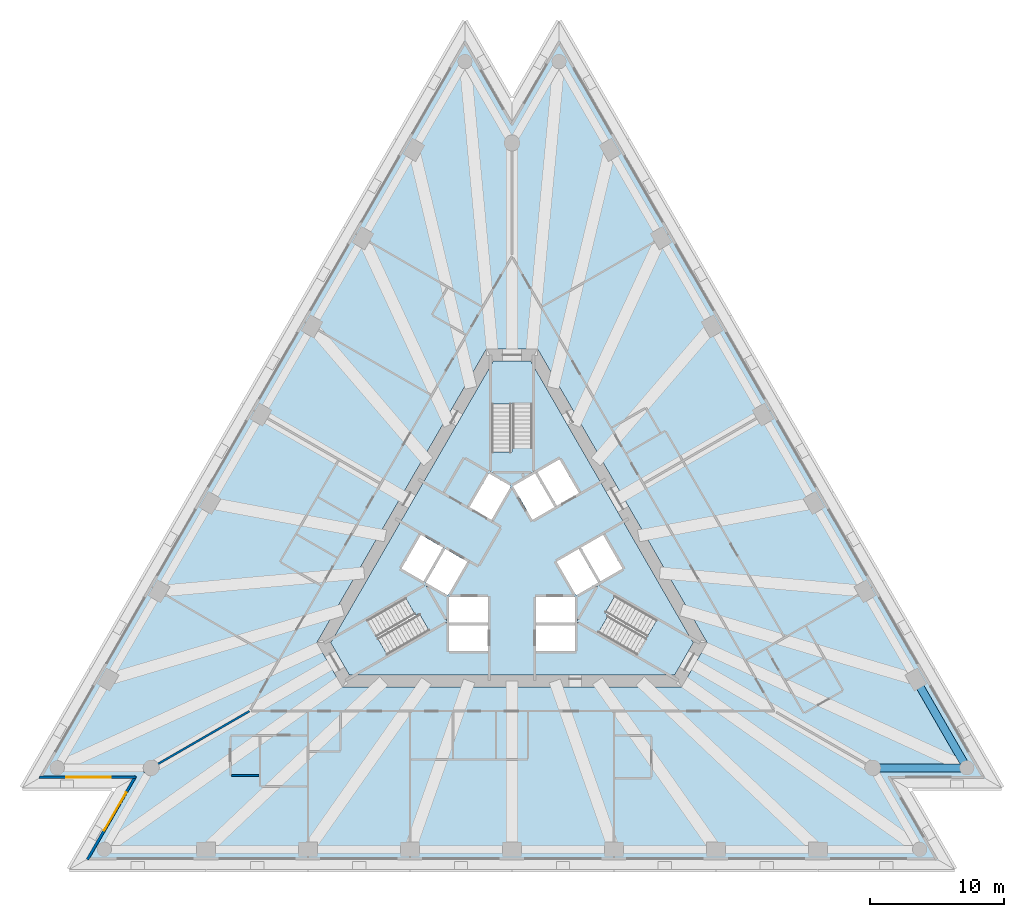
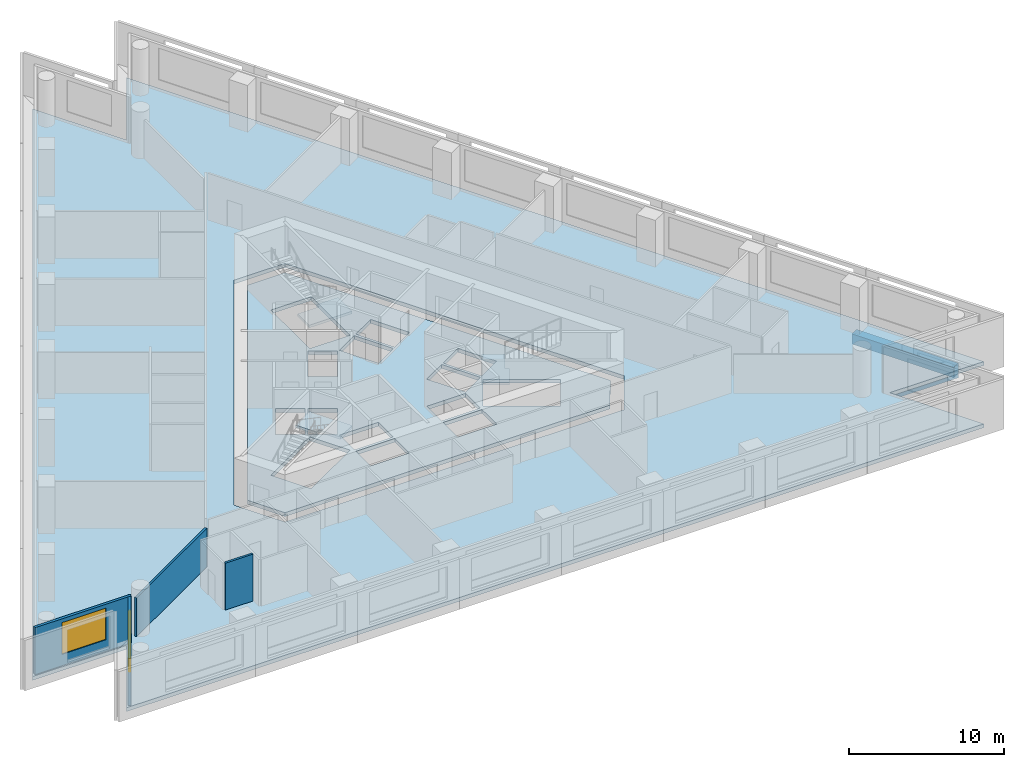
# One storey, part 2 of 11: 5 slabs, 4 walls, 2 beams, 2 windows, 2 openings, 3 elements without a shape of their own.
"""IFC4 building model written with IfcOpenShell, lengths in metres."""

from ifc_helpers import new_model, si_unit, direction, frame, frame_2d, origin, origin_2d, place, context, subcontext, project, spatial, polyline, rectangle, outline, extrude, material, layer, layer_set, layer_usage, material_profile, profile_set, type_object, element, fill, aggregate, save


model = new_model("IFC4")

# Units and contexts
model_context = context("Model", 3, precision=1e-05, world=origin(), true_north=direction((0.0, 1.0)))
body_context = subcontext(model_context, "Body", "Model", "MODEL_VIEW")
ifc_project = project(units=[si_unit("LENGTHUNIT", "METRE"), si_unit("AREAUNIT", "SQUARE_METRE"), si_unit("VOLUMEUNIT", "CUBIC_METRE"), si_unit("PLANEANGLEUNIT", "RADIAN"), si_unit("MASSUNIT", "GRAM", prefix="KILO")], contexts=[model_context])

# Site, building, storey
site_placement = place(None, origin())
site = spatial("IfcSite", under=ifc_project, at=site_placement, CompositionType="ELEMENT")
building_placement = place(site_placement, origin())
building = spatial("IfcBuilding", under=site, at=building_placement, Name="Triada Interchange Tower", CompositionType="ELEMENT")
storey_placement = place(building_placement, frame((0.0, 0.0, 35.300048828125)))
storey = spatial("IfcBuildingStorey", under=building, at=storey_placement, Name="L06", CompositionType="ELEMENT", Elevation=35.300048828125)

# Beams
ifc_material_1 = material(Name="Concrete C50/60", Category="concrete")
ifc_material_profile = material_profile(ifc_material_1, rectangle(XDim=0.60009765625, YDim=0.800048828125, at=origin_2d()), Name="RC 600x800")
ifc_profile_set = profile_set([ifc_material_profile], Name="Concrete C50/60")
beam_type = type_object("IfcBeamType", Name="Spandrel beam A RC 600x800", PredefinedType="BEAM", material=ifc_profile_set)
beam_1_placement = place(storey_placement, frame((26.889892578125, -15.52490234375, -0.699951171875), z_axis=(1.0, 0.0, 0.0), x_axis=(0.0, 1.0, 0.0)))
element("IfcBeam", 1, at=beam_1_placement, inside=storey, type_object=beam_type, Name="Spandrel beam EA20 L06", PredefinedType="BEAM", context=body_context, shape_type="SweptSolid", body=[
    extrude(rectangle(XDim=0.60009765625, YDim=0.800048828125, at=origin_2d()), origin(), (0.0, 0.0, 1.0), 7.01513671875),
])
beam_2_placement = place(storey_placement, frame((33.905029296875, -15.52490234375, -0.699951171875), z_axis=(-0.500060803479, 0.865990296034, 0.0), x_axis=(-0.865990296034, -0.500060803479, 0.0)))
element("IfcBeam", 2, at=beam_2_placement, inside=storey, type_object=beam_type, Name="Spandrel beam EA21 L06", PredefinedType="BEAM", context=body_context, shape_type="SweptSolid", body=[
    extrude(rectangle(XDim=0.60009765625, YDim=0.800048828125, at=origin_2d()), origin(), (0.0, 0.0, 1.0), 7.59912109375),
])

# Slabs
ifc_layer_1 = layer(ifc_material_1, 0.300048828125)
ifc_layer_set_1 = layer_set([ifc_layer_1], Name="Floor slab 300")
slab_type_1 = type_object("IfcSlabType", Name="Floor slab 300", PredefinedType="FLOOR", material=ifc_layer_set_1)
slab_1_placement = place(storey_placement, frame((0.0, 0.0, -0.300048828125)))
element("IfcSlab", 3, at=slab_1_placement, inside=storey, type_object=slab_type_1, Name="Floor slab L06", PredefinedType="FLOOR", context=body_context, shape_type="SweptSolid", body=[
    extrude(outline(polyline([(-3.507080078125, 38.925048828125), (-35.464111328125, -16.425048828125), (-28.448974609375, -16.425048828125), (-31.9560546875, -22.5), (31.9560546875, -22.5), (28.448974609375, -16.425048828125), (35.464111328125, -16.425048828125), (3.507080078125, 38.925048828125), (0.0, 32.85009765625), (-3.507080078125, 38.925048828125)]), holes=[polyline([(1.905029296875, 15.699951171875), (-1.905029296875, 15.699951171875), (-14.549072265625, -6.199951171875), (-12.64404296875, -9.5), (12.64404296875, -9.5), (14.549072265625, -6.199951171875), (1.905029296875, 15.699951171875)])]), origin(), (0.0, 0.0, 1.0), 0.300048828125),
])
slab_2_placement = place(storey_placement, frame((0.0, 0.0, -0.300048828125)))
element("IfcSlab", 4, at=slab_2_placement, inside=storey, type_object=slab_type_1, Name="Core floor slab L06 1", PredefinedType="FLOOR", context=body_context, shape_type="SweptSolid", body=[
    extrude(outline(polyline([(13.510009765625, -6.199951171875), (12.1240234375, -8.60009765625), (-12.1240234375, -8.60009765625), (-13.510009765625, -6.199951171875), (-1.385986328125, 14.800048828125), (1.385986328125, 14.800048828125), (13.510009765625, -6.199951171875)]), holes=[polyline([(9.2958984375, -7.09912109375), (10.7958984375, -4.5009765625), (6.466064453125, -2.0009765625), (4.966064453125, -4.59912109375), (9.2958984375, -7.09912109375)]), polyline([(6.7890625, 1.841064453125), (5.14404296875, 0.89111328125), (6.593994140625, -1.6201171875), (8.239013671875, -0.669921875), (6.7890625, 1.841064453125)]), polyline([(4.969970703125, 0.791015625), (3.324951171875, -0.158935546875), (4.77490234375, -2.669921875), (6.419921875, -1.719970703125), (4.969970703125, 0.791015625)]), polyline([(1.89404296875, 6.52001953125), (3.343994140625, 4.009033203125), (4.989013671875, 4.958984375), (3.5390625, 7.469970703125), (1.89404296875, 6.52001953125)]), polyline([(1.800048828125, -4.89990234375), (1.800048828125, -6.800048828125), (4.699951171875, -6.800048828125), (4.699951171875, -4.89990234375), (1.800048828125, -4.89990234375)]), polyline([(1.800048828125, -2.800048828125), (1.800048828125, -4.031005859375), (1.800048828125, -4.699951171875), (4.699951171875, -4.699951171875), (4.699951171875, -2.800048828125), (1.800048828125, -2.800048828125)]), polyline([(1.52490234375, 2.958984375), (1.68408203125, 3.051025390625), (3.169921875, 3.908935546875), (1.719970703125, 6.419921875), (0.074951171875, 5.469970703125), (1.52490234375, 2.958984375)]), polyline([(1.5, 11.60009765625), (-1.5, 11.60009765625), (-1.5, 6.60009765625), (1.5, 6.60009765625), (1.5, 11.60009765625)]), polyline([(-0.074951171875, 5.469970703125), (-1.719970703125, 6.419921875), (-3.169921875, 3.908935546875), (-1.6298828125, 3.01904296875), (-1.52490234375, 2.958984375), (-0.074951171875, 5.469970703125)]), polyline([(-4.699951171875, -2.800048828125), (-4.699951171875, -4.699951171875), (-1.800048828125, -4.699951171875), (-1.800048828125, -4.031005859375), (-1.800048828125, -2.800048828125), (-4.699951171875, -2.800048828125)]), polyline([(-4.699951171875, -4.89990234375), (-4.699951171875, -6.800048828125), (-1.800048828125, -6.800048828125), (-1.800048828125, -4.89990234375), (-4.699951171875, -4.89990234375)]), polyline([(-4.77490234375, -2.669921875), (-3.324951171875, -0.158935546875), (-4.969970703125, 0.791015625), (-6.419921875, -1.719970703125), (-4.77490234375, -2.669921875)]), polyline([(-10.7958984375, -4.5009765625), (-9.2958984375, -7.09912109375), (-4.966064453125, -4.59912109375), (-6.466064453125, -2.0009765625), (-10.7958984375, -4.5009765625)]), polyline([(-6.593994140625, -1.6201171875), (-5.14404296875, 0.89111328125), (-6.7890625, 1.841064453125), (-8.239013671875, -0.669921875), (-6.593994140625, -1.6201171875)])]), origin(), (0.0, 0.0, 1.0), 0.300048828125),
])

# Stair, slab
ifc_material_2 = material(Name="Concrete C35/45", Category="concrete")
stair_type = type_object("IfcStairType", Name="HALF TURN STAIR 1400", PredefinedType="HALF_TURN_STAIR", material=ifc_material_2)
stair_1_placement = place(storey_placement, origin())
stair_1 = element("IfcStair", 5, at=stair_1_placement, inside=storey, type_object=stair_type, Name="Exit stair S06-1", PredefinedType="HALF_TURN_STAIR")
ifc_layer_2 = layer(ifc_material_2, 0.199951171875)
ifc_layer_set_2 = layer_set([ifc_layer_2], Name="STAIR LANDING 200")
slab_type_2 = type_object("IfcSlabType", Name="STAIR LANDING 200", PredefinedType="LANDING", material=ifc_layer_set_2)
slab_3_placement = place(storey_placement, frame((0.0, 0.0, 1.719970703125)))
slab_3 = element("IfcSlab", 6, at=slab_3_placement, type_object=slab_type_2, Name="S06-1 landing 1", PredefinedType="LANDING", context=body_context, shape_type="SweptSolid", body=[
    extrude(outline(polyline([(1.60009765625, 6.5), (1.60009765625, 8.300048828125), (0.0, 8.300048828125), (0.0, 8.0), (-1.60009765625, 8.0), (-1.60009765625, 6.5), (1.60009765625, 6.5)])), origin(), (0.0, 0.0, 1.0), 0.199951171875),
])
aggregate(stair_1, [slab_3])

stair_2_placement = place(storey_placement, origin())
stair_2 = element("IfcStair", 7, at=stair_2_placement, inside=storey, type_object=stair_type, Name="Exit stair S06-2", PredefinedType="HALF_TURN_STAIR")
slab_4_placement = place(storey_placement, frame((0.0, 0.0, 1.719970703125)))
slab_4 = element("IfcSlab", 8, at=slab_4_placement, type_object=slab_type_2, Name="S06-2 landing 1", PredefinedType="LANDING", context=body_context, shape_type="SweptSolid", body=[
    extrude(outline(polyline([(-6.428955078125, -1.864013671875), (-7.988037109375, -2.763916015625), (-7.18798828125, -4.14990234375), (-6.927978515625, -4.0), (-6.1279296875, -5.385986328125), (-4.8291015625, -4.635986328125), (-6.428955078125, -1.864013671875)])), origin(), (0.0, 0.0, 1.0), 0.199951171875),
])
aggregate(stair_2, [slab_4])

stair_3_placement = place(storey_placement, origin())
stair_3 = element("IfcStair", 9, at=stair_3_placement, inside=storey, type_object=stair_type, Name="Exit stair S06-3", PredefinedType="HALF_TURN_STAIR")
slab_5_placement = place(storey_placement, frame((0.0, 0.0, 1.719970703125)))
slab_5 = element("IfcSlab", 10, at=slab_5_placement, type_object=slab_type_2, Name="S06-3 landing 1", PredefinedType="LANDING", context=body_context, shape_type="SweptSolid", body=[
    extrude(outline(polyline([(4.8291015625, -4.635986328125), (6.387939453125, -5.535888671875), (7.18798828125, -4.14990234375), (6.927978515625, -4.0), (7.72802734375, -2.614013671875), (6.428955078125, -1.864013671875), (4.8291015625, -4.635986328125)])), origin(), (0.0, 0.0, 1.0), 0.199951171875),
])
aggregate(stair_3, [slab_5])

# Wall, opening, window
ifc_material_3 = material(Name="Cement board")
ifc_layer_3 = layer(ifc_material_3, 0.02001953125, Name="Cement board cladding")
ifc_material_4 = material(Name="Sheathing board")
ifc_layer_4 = layer(ifc_material_4, 0.014892578125, Name="Sheathing board")
ifc_material_5 = material(Name="Mineral wool")
ifc_layer_5 = layer(ifc_material_5, 0.14990234375, Name="Mineral wool between steel studs")
ifc_material_6 = material(Name="Gypsum board")
ifc_layer_6 = layer(ifc_material_6, 0.014892578125, Name="Plasterboard lining")
ifc_layer_set_3 = layer_set([ifc_layer_3, ifc_layer_4, ifc_layer_5, ifc_layer_6], Name="External wall 200")
ifc_layer_usage = layer_usage(ifc_layer_set_3, "AXIS2", "POSITIVE", -0.10009765625)
wall_type_1 = type_object("IfcWallType", Name="External wall 200", PredefinedType="ELEMENTEDWALL", material=ifc_layer_set_3)
wall_1_placement = place(storey_placement, frame((-35.2080078125, -16.22509765625, 0.0), z_axis=(0.0, 0.0, 1.0), x_axis=(1.0, 0.0, 0.0)))
wall_1 = element("IfcWall", 11, at=wall_1_placement, inside=storey, type_object=wall_type_1, material=ifc_layer_usage, Name="External wall L06 SW-1", PredefinedType="ELEMENTEDWALL", context=body_context, shape_type="SweptSolid", body=[
    extrude(rectangle(XDim=7.175048828125, YDim=0.199951171875, at=frame_2d((3.58740234375, 0.0))), origin(), (0.0, 0.0, 1.0), 3.699951171875),
])
opening_1_placement = place(wall_1_placement, frame((1.989990234375, 0.0, 0.89990234375)))
opening_1 = element("IfcOpeningElement", 12, at=opening_1_placement, cuts=wall_1, Name="Opening WA09", PredefinedType="OPENING", context=body_context, shape_type="SweptSolid", body=[
    extrude(rectangle(XDim=3.300048828125, YDim=2.5, at=frame_2d((1.64990234375, 1.25))), frame((0.0, 0.10986328125, 0.0), z_axis=(0.0, -1.0, 0.0), x_axis=(1.0, 0.0, 0.0)), (0.0, 0.0, 1.0), 0.219970703125),
])
ifc_material_7 = material(Name="Double glazed aluminium window", Category="aluminium")
window_type = type_object("IfcWindowType", Name="Ribbon window A pocket", PartitioningType="SINGLE_PANEL", PredefinedType="WINDOW", material=ifc_material_7)
window_1_placement = place(opening_1_placement, origin())
window_1 = element("IfcWindow", 13, at=window_1_placement, inside=storey, type_object=window_type, Name="Window L06 SW-1 1", OverallHeight=2.5, OverallWidth=3.300048828125, PartitioningType="SINGLE_PANEL", PredefinedType="WINDOW", context=body_context, shape_type="SweptSolid", body=[
    extrude(rectangle(XDim=3.300048828125, YDim=2.5, at=frame_2d((1.64990234375, 1.25))), frame((0.0, 0.030029296875, 0.0), z_axis=(0.0, -1.0, 0.0), x_axis=(1.0, 0.0, 0.0)), (0.0, 0.0, 1.0), 0.06005859375),
])
fill(opening_1, window_1)

wall_2_placement = place(storey_placement, frame((-28.05810546875, -16.14697265625, 0.0), z_axis=(0.0, 0.0, 1.0), x_axis=(-0.499915874128, -0.866073968431, 0.0)))
wall_2 = element("IfcWall", 14, at=wall_2_placement, inside=storey, type_object=wall_type_1, material=ifc_layer_usage, Name="External wall L06 SW-2", PredefinedType="ELEMENTEDWALL", context=body_context, shape_type="SweptSolid", body=[
    extrude(rectangle(XDim=7.175048828125, YDim=0.199951171875, at=frame_2d((3.58740234375, 0.0))), origin(), (0.0, 0.0, 1.0), 3.699951171875),
])
opening_2_placement = place(wall_2_placement, frame((1.389892578125, 0.0, 0.89990234375)))
opening_2 = element("IfcOpeningElement", 15, at=opening_2_placement, cuts=wall_2, Name="Opening WA10", PredefinedType="OPENING", context=body_context, shape_type="SweptSolid", body=[
    extrude(rectangle(XDim=3.300048828125, YDim=2.5, at=frame_2d((1.64990234375, 1.25))), frame((0.0, 0.10986328125, 0.0), z_axis=(0.0, -1.0, 0.0), x_axis=(1.0, 0.0, 0.0)), (0.0, 0.0, 1.0), 0.219970703125),
])
window_2_placement = place(opening_2_placement, origin())
window_2 = element("IfcWindow", 16, at=window_2_placement, inside=storey, type_object=window_type, Name="Window L06 SW-2 1", OverallHeight=2.5, OverallWidth=3.300048828125, PartitioningType="SINGLE_PANEL", PredefinedType="WINDOW", context=body_context, shape_type="SweptSolid", body=[
    extrude(rectangle(XDim=3.300048828125, YDim=2.5, at=frame_2d((1.64990234375, 1.25))), frame((0.0, 0.030029296875, 0.0), z_axis=(0.0, -1.0, 0.0), x_axis=(1.0, 0.0, 0.0)), (0.0, 0.0, 1.0), 0.06005859375),
])
fill(opening_2, window_2)

# Walls
ifc_material_8 = material(Name="Gypsum board partition")
ifc_layer_7 = layer(ifc_material_8, 0.14990234375)
ifc_layer_set_4 = layer_set([ifc_layer_7], Name="PARTITION 150 EI 180")
wall_type_2 = type_object("IfcWallType", Name="PARTITION 150 EI 180", PredefinedType="PARTITIONING", material=ifc_layer_set_4)
wall_3_placement = place(storey_placement, frame((-27.427001953125, -15.8349609375, 0.0), z_axis=(0.0, 0.0, 1.0), x_axis=(0.866033184421, 0.499986523299, 0.0)))
element("IfcWall", 17, at=wall_3_placement, inside=storey, type_object=wall_type_2, Name="Wall L06 1", PredefinedType="PARTITIONING", context=body_context, shape_type="SweptSolid", body=[
    extrude(rectangle(XDim=9.070068359375, YDim=0.14990234375, at=frame_2d((4.53515625, 0.0))), origin(), (0.0, 0.0, 1.0), 3.050048828125),
])
ifc_layer_8 = layer(ifc_material_8, 0.14990234375)
ifc_layer_set_5 = layer_set([ifc_layer_8], Name="PARTITION 150 EI 90")
wall_type_3 = type_object("IfcWallType", Name="PARTITION 150 EI 90", PredefinedType="PARTITIONING", material=ifc_layer_set_5)
wall_4_placement = place(storey_placement, frame((-20.923095703125, -16.10009765625, 0.0), z_axis=(0.0, 0.0, 1.0), x_axis=(1.0, 0.0, 0.0)))
element("IfcWall", 18, at=wall_4_placement, inside=storey, type_object=wall_type_3, Name="Wall L06 37", PredefinedType="PARTITIONING", context=body_context, shape_type="SweptSolid", body=[
    extrude(rectangle(XDim=2.050048828125, YDim=0.14990234375, at=frame_2d((1.02490234375, 0.0))), origin(), (0.0, 0.0, 1.0), 3.699951171875),
])

save(model, "model.ifc")
